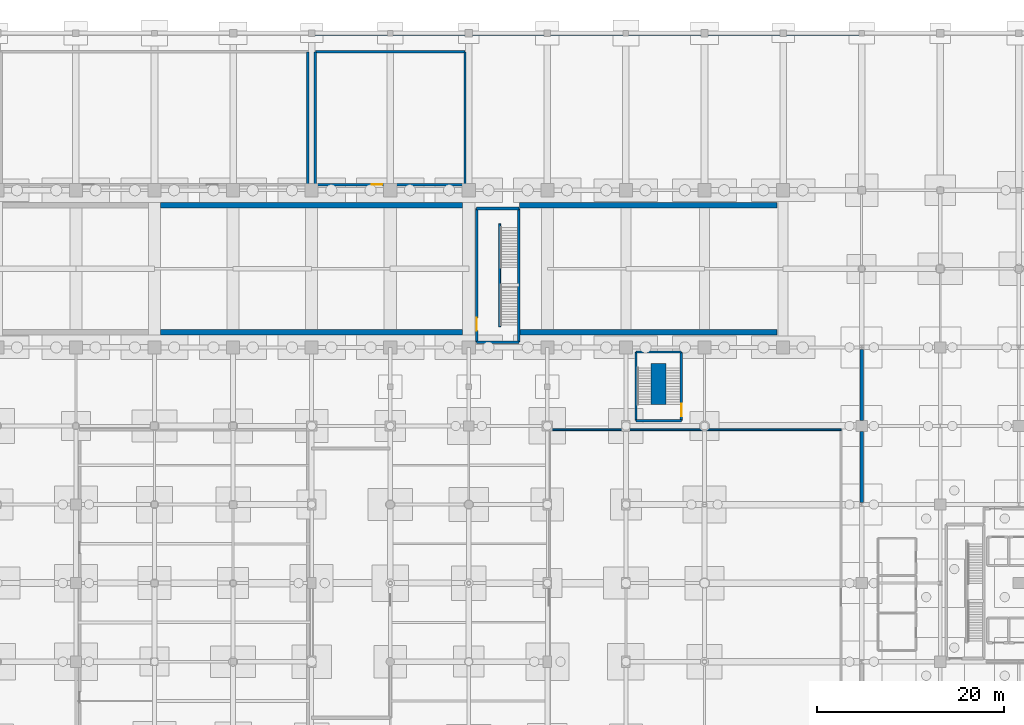
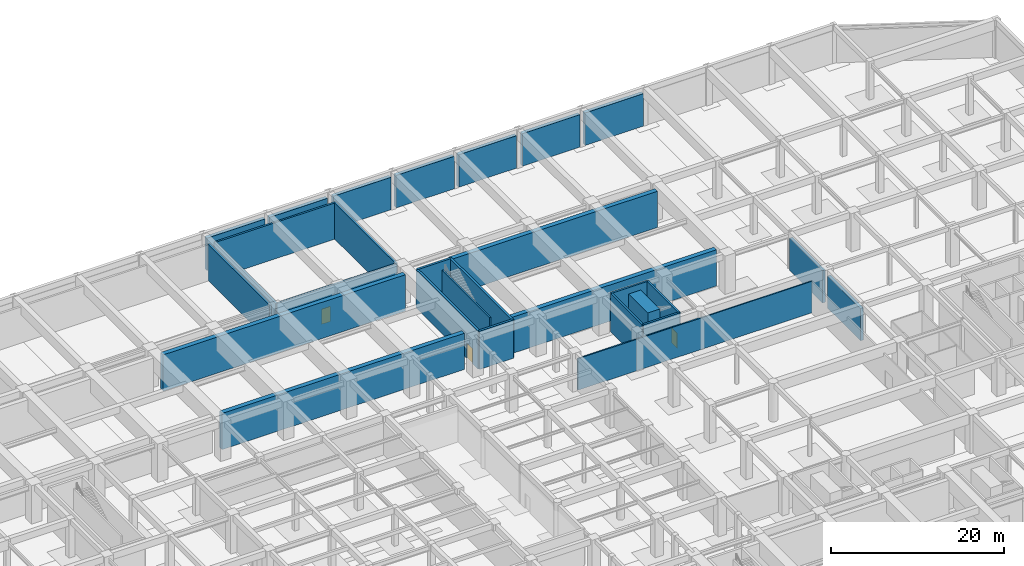
# One storey, part 22 of 26: 29 walls, 3 doors, 3 openings.
"""IFC4 building model written with IfcOpenShell, lengths in metres."""

import ifcopenshell
import ifcopenshell.guid

model = None  # the IFC model being written
_history = None  # IfcOwnerHistory: only IFC2X3 demands one
_inside = {}  # id of a spatial element -> (the spatial element, [elements in it])
_under = {}  # id of a project, library or spatial element -> (it, [spatial elements below it])
_declared = {}  # id of a project -> (the project, [libraries it declares])
_typed = {}  # id of a type object -> (the type object, [elements of that type])
_made_of = {}  # id of a material, layer set ... -> (it, [elements and type objects made of it])


def new_model(schema):
    """Start an empty IFC model of exactly this schema.

    Asked for "IFC4X3", IfcOpenShell would pick the latest addendum, in which some entities
    have other attributes; the version numbers below select the first issue.
    IFC2X3 requires an IfcOwnerHistory on every rooted entity: one is made here for all.
    """
    global model, _history
    if schema == "IFC4X3":
        model = ifcopenshell.file(schema_version=(4, 3, 0, 0))
    else:
        model = ifcopenshell.file(schema=schema)
    _inside.clear()
    _under.clear()
    _declared.clear()
    _typed.clear()
    _made_of.clear()
    _history = None
    if model.schema == "IFC2X3":
        org = make("IfcOrganization", Name="unknown")
        user = make(
            "IfcPersonAndOrganization",
            ThePerson=make("IfcPerson", FamilyName="unknown"),
            TheOrganization=org,
        )
        app = make(
            "IfcApplication",
            ApplicationDeveloper=org,
            Version="unknown",
            ApplicationFullName="unknown",
            ApplicationIdentifier="unknown",
        )
        _history = make(
            "IfcOwnerHistory",
            OwningUser=user,
            OwningApplication=app,
            ChangeAction="ADDED",
            CreationDate=0,
        )
    return model


def make(cls, **values):
    """One entity of the class cls with the attributes given. An attribute that is None is left unset."""
    return model.create_entity(
        cls, **{name: value for name, value in values.items() if value is not None}
    )


def rooted(cls, **values):
    """An entity with a GlobalId (a new one), such as an element, a storey or a relation."""
    return make(cls, GlobalId=ifcopenshell.guid.new(), OwnerHistory=_history, **values)


def si_unit(unit_type, name, prefix=None):
    """IfcSIUnit, for example si_unit("LENGTHUNIT", "METRE", prefix="MILLI")."""
    return make("IfcSIUnit", UnitType=unit_type, Prefix=prefix, Name=name)


def assignment(units):
    """IfcUnitAssignment: the units of a project."""
    return None if units is None else make("IfcUnitAssignment", Units=units)


def point(xyz):
    """IfcCartesianPoint."""
    return None if xyz is None else make("IfcCartesianPoint", Coordinates=xyz)


def direction(xyz):
    """IfcDirection."""
    return None if xyz is None else make("IfcDirection", DirectionRatios=xyz)


def frame(location, z_axis=None, x_axis=None):
    """IfcAxis2Placement3D, a coordinate frame: its origin and axes. An axis left out is left unset."""
    return make(
        "IfcAxis2Placement3D",
        Location=point(location),
        Axis=direction(z_axis),
        RefDirection=direction(x_axis),
    )


def frame_2d(location, x_axis=None):
    """IfcAxis2Placement2D, a coordinate frame in the plane: its origin and x axis."""
    return make(
        "IfcAxis2Placement2D", Location=point(location), RefDirection=direction(x_axis)
    )


def origin():
    """The frame at (0, 0, 0) with its axes left unset."""
    return frame((0.0, 0.0, 0.0))


def place(relative_to, where):
    """IfcLocalPlacement: puts the frame where relative to a parent placement (None: the world)."""
    return make(
        "IfcLocalPlacement", PlacementRelTo=relative_to, RelativePlacement=where
    )


def context(
    kind, dimensions, precision=None, world=None, true_north=None, identifier=None
):
    """IfcGeometricRepresentationContext, for example the 3D "Model" context."""
    return make(
        "IfcGeometricRepresentationContext",
        ContextIdentifier=identifier,
        ContextType=kind,
        CoordinateSpaceDimension=dimensions,
        Precision=precision,
        WorldCoordinateSystem=world,
        TrueNorth=true_north,
    )


def subcontext(parent, identifier, kind, view, scale=None):
    """IfcGeometricRepresentationSubContext, for example "Body" below "Model"."""
    return make(
        "IfcGeometricRepresentationSubContext",
        ContextIdentifier=identifier,
        ContextType=kind,
        ParentContext=parent,
        TargetScale=scale,
        TargetView=view,
    )


def project(units=None, contexts=None):
    """IfcProject with its units and contexts."""
    return rooted(
        "IfcProject",
        Name="project",
        RepresentationContexts=contexts,
        UnitsInContext=assignment(units),
    )


def spatial(cls, under=None, at=None, **own):
    """A site, building, storey or space (cls), placed at a placement, below another one or the project."""
    s = rooted(cls, ObjectPlacement=at, **own)
    if under is not None:
        _under.setdefault(under.id(), (under, []))[1].append(s)
    return s


def profile(cls, at=None, kind="AREA", **sizes):
    """A parametric profile (cls). Its sizes go by their IFC names, for example OverallWidth=200.0."""
    return make(cls, ProfileType=kind, Position=at, **sizes)


def rectangle(**sizes):
    """IfcRectangleProfileDef."""
    return profile("IfcRectangleProfileDef", **sizes)


def extrude(swept, where, along, depth):
    """IfcExtrudedAreaSolid: the profile swept, set in the frame where, extruded along a direction by depth."""
    return make(
        "IfcExtrudedAreaSolid",
        SweptArea=swept,
        Position=where,
        ExtrudedDirection=direction(along),
        Depth=depth,
    )


def shape(context_of_items, identifier, shape_type, items):
    """IfcShapeRepresentation: the items that make up one representation, for example the "Body"."""
    return make(
        "IfcShapeRepresentation",
        ContextOfItems=context_of_items,
        RepresentationIdentifier=identifier,
        RepresentationType=shape_type,
        Items=items,
    )


def material(Name=None, Category=None):
    """IfcMaterial."""
    return make("IfcMaterial", Name=Name, Category=Category)


def layer(
    of_material, thickness, ventilated=None, Name=None, Category=None, Priority=None
):
    """IfcMaterialLayer: one layer of a wall or slab, of a material (None: an air gap)."""
    return make(
        "IfcMaterialLayer",
        Material=of_material,
        LayerThickness=thickness,
        IsVentilated=ventilated,
        Name=Name,
        Category=Category,
        Priority=Priority,
    )


def layer_set(layers, Name=None):
    """IfcMaterialLayerSet."""
    return make("IfcMaterialLayerSet", MaterialLayers=layers, LayerSetName=Name)


def made_of(thing, what):
    """Note that an element or type object is made of a material, layer set ...; save() writes the relation."""
    if what is not None:
        _made_of.setdefault(what.id(), (what, []))[1].append(thing)
    return thing


def type_object(cls, material=None, **own):
    """A type object (cls), such as IfcWallType, which elements share."""
    return made_of(rooted(cls, **own), material)


def element(
    cls,
    number,
    at=None,
    inside=None,
    cuts=None,
    type_object=None,
    material=None,
    context=None,
    identifier="Body",
    shape_type=None,
    held_by="IfcProductDefinitionShape",
    body=None,
    shapes=None,
    **own,
):
    """One element of the class cls, such as IfcWall. Its Tag is "e" and its number.

    at: its placement. inside: the storey or other place that contains it. cuts: it is an
    opening in that element (IfcRelVoidsElement). A single representation is given by context,
    identifier, shape_type and body (its items); several are given by shapes. held_by: the class
    of the entity that holds the representations. save() writes the other relations.
    """
    e = rooted(cls, Tag="e%d" % number, ObjectPlacement=at, **own)
    if body is not None:
        shapes = [shape(context, identifier, shape_type, body)]
    if shapes is not None:
        e.Representation = make(held_by, Representations=shapes)
    if inside is not None:
        _inside.setdefault(inside.id(), (inside, []))[1].append(e)
    if cuts is not None:
        rooted(
            "IfcRelVoidsElement", RelatingBuildingElement=cuts, RelatedOpeningElement=e
        )
    if type_object is not None:
        _typed.setdefault(type_object.id(), (type_object, []))[1].append(e)
    return made_of(e, material)


def fill(opening, filler):
    """IfcRelFillsElement: the door or window that sits in an opening."""
    return rooted(
        "IfcRelFillsElement",
        RelatingOpeningElement=opening,
        RelatedBuildingElement=filler,
    )


def aggregate(whole, parts):
    """IfcRelAggregates: a whole, such as a stair, and the parts it consists of."""
    return rooted("IfcRelAggregates", RelatingObject=whole, RelatedObjects=parts)


def save(model, path):
    """Write the relations noted so far, then the file.

    IfcRelAggregates (storeys below a building ...), IfcRelContainedInSpatialStructure (elements
    in a storey), IfcRelDefinesByType, IfcRelAssociatesMaterial and IfcRelDeclares: one each for
    every whole, place, type object, material and project.
    """
    for whole, parts in _under.values():
        aggregate(whole, parts)
    for where, things in _inside.values():
        rooted(
            "IfcRelContainedInSpatialStructure",
            RelatedElements=things,
            RelatingStructure=where,
        )
    for kind, things in _typed.values():
        rooted("IfcRelDefinesByType", RelatedObjects=things, RelatingType=kind)
    for what, things in _made_of.values():
        rooted("IfcRelAssociatesMaterial", RelatedObjects=things, RelatingMaterial=what)
    for by, libraries in _declared.values():
        rooted("IfcRelDeclares", RelatingContext=by, RelatedDefinitions=libraries)
    model.write(path)


model = new_model("IFC4")

# Units and contexts
model_context = context("Model", 3, precision=1e-05, world=origin(), true_north=direction((0.0, 1.0)))
body_context = subcontext(model_context, "Body", "Model", "MODEL_VIEW")
ifc_project = project(units=[si_unit("LENGTHUNIT", "METRE"), si_unit("AREAUNIT", "SQUARE_METRE"), si_unit("VOLUMEUNIT", "CUBIC_METRE"), si_unit("PLANEANGLEUNIT", "RADIAN"), si_unit("MASSUNIT", "GRAM", prefix="KILO")], contexts=[model_context])

# Site, building, storey
site_placement = place(None, origin())
site = spatial("IfcSite", under=ifc_project, at=site_placement, CompositionType="ELEMENT")
building_placement = place(site_placement, origin())
building = spatial("IfcBuilding", under=site, at=building_placement, Name="Xuanlan Plaza Opera House", CompositionType="ELEMENT")
storey_placement = place(building_placement, frame((0.0, 0.0, -5.39990234375)))
storey = spatial("IfcBuildingStorey", under=building, at=storey_placement, Name="B01", CompositionType="ELEMENT", Elevation=-5.39990234375)

# Walls
ifc_material_1 = material(Name="Concrete C50", Category="concrete")
ifc_layer_1 = layer(ifc_material_1, 0.47998046875)
ifc_layer_set_1 = layer_set([ifc_layer_1], Name="Concrete C50")
wall_type_1 = type_object("IfcWallType", Name="ENV-WL-EW-B01", PredefinedType="SHEAR", material=ifc_layer_set_1)
wall_1_placement = place(storey_placement, frame((125.699951171875, 117.60009765625, 0.0), z_axis=(0.0, 0.0, 1.0), x_axis=(-1.0, 0.0, 0.0)))
element("IfcWall", 1, at=wall_1_placement, inside=storey, type_object=wall_type_1, Name="Exterior Wall B01-034", PredefinedType="SHEAR", context=body_context, shape_type="SweptSolid", body=[
    extrude(rectangle(XDim=7.75, YDim=0.47998046875, at=frame_2d((3.875, 0.0))), origin(), (0.0, 0.0, 1.0), 4.579833984375),
])
wall_2_placement = place(storey_placement, frame((117.25, 117.60009765625, 0.0), z_axis=(0.0, 0.0, 1.0), x_axis=(-1.0, 0.0, 0.0)))
element("IfcWall", 2, at=wall_2_placement, inside=storey, type_object=wall_type_1, Name="Exterior Wall B01-035", PredefinedType="SHEAR", context=body_context, shape_type="SweptSolid", body=[
    extrude(rectangle(XDim=7.64990234375, YDim=0.47998046875, at=frame_2d((3.824951171875, 0.0))), origin(), (0.0, 0.0, 1.0), 4.579833984375),
])
wall_3_placement = place(storey_placement, frame((108.800048828125, 117.60009765625, 0.0), z_axis=(0.0, 0.0, 1.0), x_axis=(-1.0, 0.0, 0.0)))
element("IfcWall", 3, at=wall_3_placement, inside=storey, type_object=wall_type_1, Name="Exterior Wall B01-036", PredefinedType="SHEAR", context=body_context, shape_type="SweptSolid", body=[
    extrude(rectangle(XDim=7.699951171875, YDim=0.47998046875, at=frame_2d((3.85009765625, 0.0))), origin(), (0.0, 0.0, 1.0), 4.579833984375),
])
wall_4_placement = place(storey_placement, frame((100.5, 117.60009765625, 0.0), z_axis=(0.0, 0.0, 1.0), x_axis=(-1.0, 0.0, 0.0)))
element("IfcWall", 4, at=wall_4_placement, inside=storey, type_object=wall_type_1, Name="Exterior Wall B01-037", PredefinedType="SHEAR", context=body_context, shape_type="SweptSolid", body=[
    extrude(rectangle(XDim=7.75, YDim=0.47998046875, at=frame_2d((3.875, 0.0))), origin(), (0.0, 0.0, 1.0), 4.579833984375),
])
wall_5_placement = place(storey_placement, frame((92.050048828125, 117.60009765625, 0.0), z_axis=(0.0, 0.0, 1.0), x_axis=(-1.0, 0.0, 0.0)))
element("IfcWall", 5, at=wall_5_placement, inside=storey, type_object=wall_type_1, Name="Exterior Wall B01-038", PredefinedType="SHEAR", context=body_context, shape_type="SweptSolid", body=[
    extrude(rectangle(XDim=7.650146484375, YDim=0.47998046875, at=frame_2d((3.8251953125, 0.0))), origin(), (0.0, 0.0, 1.0), 4.579833984375),
])
wall_6_placement = place(storey_placement, frame((83.60009765625, 117.60009765625, 0.0), z_axis=(0.0, 0.0, 1.0), x_axis=(-1.0, 0.0, 0.0)))
element("IfcWall", 6, at=wall_6_placement, inside=storey, type_object=wall_type_1, Name="Exterior Wall B01-039", PredefinedType="SHEAR", context=body_context, shape_type="SweptSolid", body=[
    extrude(rectangle(XDim=7.7001953125, YDim=0.47998046875, at=frame_2d((3.85009765625, 0.0))), origin(), (0.0, 0.0, 1.0), 4.579833984375),
])
wall_7_placement = place(storey_placement, frame((75.300048828125, 117.60009765625, 0.0), z_axis=(0.0, 0.0, 1.0), x_axis=(-1.0, 0.0, 0.0)))
element("IfcWall", 7, at=wall_7_placement, inside=storey, type_object=wall_type_1, Name="Exterior Wall B01-040", PredefinedType="SHEAR", context=body_context, shape_type="SweptSolid", body=[
    extrude(rectangle(XDim=7.75, YDim=0.47998046875, at=frame_2d((3.875, 0.0))), origin(), (0.0, 0.0, 1.0), 4.579833984375),
])
ifc_material_2 = material(Name="Gypsum Board and Galvanised Steel Studs", Category="gypsum")
ifc_layer_2 = layer(ifc_material_2, 0.179931640625)
ifc_layer_set_2 = layer_set([ifc_layer_2], Name="Gypsum Board and Galvanised Steel Studs")
wall_type_2 = type_object("IfcWallType", Name="INT-WL-PW-02", PredefinedType="PARTITIONING", material=ifc_layer_set_2)
wall_8_placement = place(storey_placement, frame((92.60009765625, 75.199951171875, 0.0), z_axis=(0.0, 0.0, 1.0), x_axis=(1.0, 0.0, 0.0)))
element("IfcWall", 8, at=wall_8_placement, inside=storey, type_object=wall_type_2, Name="Metro Concourse Interchange Hall Wall North", PredefinedType="PARTITIONING", context=body_context, shape_type="SweptSolid", body=[
    extrude(rectangle(XDim=31.199951171875, YDim=0.179931640625, at=frame_2d((15.60009765625, 0.0))), origin(), (0.0, 0.0, 1.0), 4.43994140625),
])
ifc_layer_3 = layer(ifc_material_1, 0.3798828125)
ifc_layer_set_3 = layer_set([ifc_layer_3], Name="Concrete C50")
wall_type_3 = type_object("IfcWallType", Name="INT-WL-SW-FW1", PredefinedType="SHEAR", material=ifc_layer_set_3)
for number, where, z_axis, x_axis, name in (
    (9, (126.0, 67.406982421875, 0.0), (0.0, 0.0, 1.0), (0.0, 1.0, 0.0), "Opera-Tower Compartment Firewall B01-03"),
    (10, (126.0, 76.199951171875, 0.0), (0.0, 0.0, 1.0), (0.0, 1.0, 0.0), "Opera-Tower Compartment Firewall B01-04"),
):
    element("IfcWall", number, at=place(storey_placement, frame(where, z_axis=z_axis, x_axis=x_axis)), inside=storey, type_object=wall_type_3, Name=name, PredefinedType="SHEAR", context=body_context, shape_type="SweptSolid", body=[
        extrude(rectangle(XDim=7.593017578125, YDim=0.3798828125, at=frame_2d((3.79638671875, 0.0))), origin(), (0.0, 0.0, 1.0), 4.5498046875),
    ])
ifc_material_3 = material(Name="Concrete C40", Category="concrete")
ifc_layer_4 = layer(ifc_material_3, 0.25)
ifc_layer_set_4 = layer_set([ifc_layer_4], Name="Concrete C40")
wall_type_4 = type_object("IfcWallType", Name="INT-WL-SW-LF1", PredefinedType="SHEAR", material=ifc_layer_set_4)
wall_9_placement = place(storey_placement, frame((66.800048828125, 101.39990234375, 0.0), z_axis=(0.0, 0.0, 1.0), x_axis=(0.0, 1.0, 0.0)))
element("IfcWall", 11, at=wall_9_placement, inside=storey, type_object=wall_type_4, Name="Chiller and Heat Pump Plant Room Wall East", PredefinedType="SHEAR", context=body_context, shape_type="SweptSolid", body=[
    extrude(rectangle(XDim=14.2001953125, YDim=0.25, at=frame_2d((7.10009765625, 0.0))), origin(), (0.0, 0.0, 1.0), 5.099853515625),
])

# Wall, opening, door
wall_10_placement = place(storey_placement, frame((67.60009765625, 101.39990234375, 0.0), z_axis=(0.0, 0.0, 1.0), x_axis=(1.0, 0.0, 0.0)))
wall_10 = element("IfcWall", 12, at=wall_10_placement, inside=storey, type_object=wall_type_4, Name="Sprinkler Pump and Fire Water Tank Room Wall South", PredefinedType="SHEAR", context=body_context, shape_type="SweptSolid", body=[
    extrude(rectangle(XDim=16.0, YDim=0.25, at=frame_2d((8.0, 0.0))), origin(), (0.0, 0.0, 1.0), 5.099853515625),
])
opening_1_placement = place(wall_10_placement, frame((6.0, 0.0, 0.0)))
opening_1 = element("IfcOpeningElement", 13, at=opening_1_placement, cuts=wall_10, Name="Opening FD-01", PredefinedType="OPENING", context=body_context, shape_type="SweptSolid", body=[
    extrude(rectangle(XDim=1.14990234375, YDim=2.14990234375, at=frame_2d((0.574951171875, 1.074951171875))), frame((0.0, 0.135009765625, 0.0), z_axis=(0.0, -1.0, 0.0), x_axis=(1.0, 0.0, 0.0)), (0.0, 0.0, 1.0), 0.27001953125),
])
ifc_material_4 = material(Name="Galvanised Steel Q235B", Category="steel")
door_type_1 = type_object("IfcDoorType", Name="INT-DR-FD-01", OperationType="NOTDEFINED", PredefinedType="DOOR", material=ifc_material_4)
door_1_placement = place(opening_1_placement, origin())
door_1 = element("IfcDoor", 14, at=door_1_placement, inside=storey, type_object=door_type_1, Name="Sprinkler Pump and Fire Water Tank Room Door 1", OperationType="SINGLE_SWING_LEFT", OverallHeight=2.14990234375, OverallWidth=1.14990234375, PredefinedType="DOOR", context=body_context, shape_type="SweptSolid", body=[
    extrude(rectangle(XDim=1.14990234375, YDim=2.14990234375, at=frame_2d((0.574951171875, 1.074951171875))), frame((0.0, 0.02490234375, 0.0), z_axis=(0.0, -1.0, 0.0), x_axis=(1.0, 0.0, 0.0)), (0.0, 0.0, 1.0), 0.050048828125),
])
fill(opening_1, door_1)

# Walls
wall_11_placement = place(storey_placement, frame((67.60009765625, 115.60009765625, 0.0), z_axis=(0.0, 0.0, 1.0), x_axis=(1.0, 0.0, 0.0)))
element("IfcWall", 15, at=wall_11_placement, inside=storey, type_object=wall_type_4, Name="Sprinkler Pump and Fire Water Tank Room Wall North", PredefinedType="SHEAR", context=body_context, shape_type="SweptSolid", body=[
    extrude(rectangle(XDim=16.0, YDim=0.25, at=frame_2d((8.0, 0.0))), origin(), (0.0, 0.0, 1.0), 5.099853515625),
])
for number, where, z_axis, x_axis, name in (
    (16, (67.60009765625, 101.39990234375, 0.0), (0.0, 0.0, 1.0), (0.0, 1.0, 0.0), "Sprinkler Pump and Fire Water Tank Room Wall West"),
    (17, (83.60009765625, 101.39990234375, 0.0), (0.0, 0.0, 1.0), (0.0, 1.0, 0.0), "Sprinkler Pump and Fire Water Tank Room Wall East"),
):
    element("IfcWall", number, at=place(storey_placement, frame(where, z_axis=z_axis, x_axis=x_axis)), inside=storey, type_object=wall_type_4, Name=name, PredefinedType="SHEAR", context=body_context, shape_type="SweptSolid", body=[
        extrude(rectangle(XDim=14.2001953125, YDim=0.25, at=frame_2d((7.10009765625, 0.0))), origin(), (0.0, 0.0, 1.0), 5.099853515625),
    ])
ifc_layer_5 = layer(ifc_material_1, 1.60009765625)
ifc_layer_set_5 = layer_set([ifc_layer_5], Name="Concrete C50")
wall_type_5 = type_object("IfcWallType", Name="INT-WL-SW-SP2", PredefinedType="SHEAR", material=ifc_layer_set_5)
wall_12_placement = place(storey_placement, frame((104.300048828125, 77.8798828125, 0.0), z_axis=(0.0, 0.0, 1.0), x_axis=(0.0, 1.0, 0.0)))
element("IfcWall", 18, at=wall_12_placement, inside=storey, type_object=wall_type_5, Name="Half-Turn Stair Structural Spine Wall ST-F2 B01", PredefinedType="SHEAR", context=body_context, shape_type="SweptSolid", body=[
    extrude(rectangle(XDim=4.400146484375, YDim=1.60009765625, at=frame_2d((2.2001953125, 0.0))), origin(), (0.0, 0.0, 1.0), 5.39990234375),
])
ifc_layer_6 = layer(ifc_material_3, 0.199951171875)
ifc_layer_set_6 = layer_set([ifc_layer_6], Name="Concrete C40")
wall_type_6 = type_object("IfcWallType", Name="INT-WL-SW-SPN", PredefinedType="SHEAR", material=ifc_layer_set_6)
wall_13_placement = place(storey_placement, frame((87.300048828125, 86.199951171875, 0.0), z_axis=(0.0, 0.0, 1.0), x_axis=(0.0, 1.0, 0.0)))
element("IfcWall", 19, at=wall_13_placement, inside=storey, type_object=wall_type_6, Name="Stair Structural Spine Wall ST-P4 B01", PredefinedType="SHEAR", context=body_context, shape_type="SweptSolid", body=[
    extrude(rectangle(XDim=11.0, YDim=0.199951171875, at=frame_2d((5.5, 0.0))), origin(), (0.0, 0.0, 1.0), 5.39990234375),
])
ifc_layer_7 = layer(ifc_material_3, 0.300048828125)
ifc_layer_set_7 = layer_set([ifc_layer_7], Name="Concrete C40")
wall_type_7 = type_object("IfcWallType", Name="INT-WL-SW-ST1", PredefinedType="SHEAR", material=ifc_layer_set_7)
for number, where, z_axis, x_axis, name in (
    (20, (84.85009765625, 84.550048828125, 0.0), (0.0, 0.0, 1.0), (1.0, 0.0, 0.0), "Stair Core Wall ST-P4 B01 South"),
    (21, (84.85009765625, 98.85009765625, 0.0), (0.0, 0.0, 1.0), (1.0, 0.0, 0.0), "Stair Core Wall ST-P4 B01 North"),
):
    element("IfcWall", number, at=place(storey_placement, frame(where, z_axis=z_axis, x_axis=x_axis)), inside=storey, type_object=wall_type_7, Name=name, PredefinedType="SHEAR", context=body_context, shape_type="SweptSolid", body=[
        extrude(rectangle(XDim=4.5, YDim=0.300048828125, at=frame_2d((2.25, 0.0))), origin(), (0.0, 0.0, 1.0), 5.39990234375),
    ])

# Wall, opening, door
wall_14_placement = place(storey_placement, frame((84.85009765625, 84.550048828125, 0.0), z_axis=(0.0, 0.0, 1.0), x_axis=(0.0, 1.0, 0.0)))
wall_14 = element("IfcWall", 22, at=wall_14_placement, inside=storey, type_object=wall_type_7, Name="Stair Core Wall ST-P4 B01 West", PredefinedType="SHEAR", context=body_context, shape_type="SweptSolid", body=[
    extrude(rectangle(XDim=14.300048828125, YDim=0.300048828125, at=frame_2d((7.14990234375, 0.0))), origin(), (0.0, 0.0, 1.0), 5.39990234375),
])
opening_2_placement = place(wall_14_placement, frame((1.25, 0.0, 0.0)))
opening_2 = element("IfcOpeningElement", 23, at=opening_2_placement, cuts=wall_14, Name="Opening FD-ST2", PredefinedType="OPENING", context=body_context, shape_type="SweptSolid", body=[
    extrude(rectangle(XDim=1.35009765625, YDim=2.14990234375, at=frame_2d((0.675048828125, 1.074951171875))), frame((0.0, 0.159912109375, 0.0), z_axis=(0.0, -1.0, 0.0), x_axis=(1.0, 0.0, 0.0)), (0.0, 0.0, 1.0), 0.320068359375),
])
door_type_2 = type_object("IfcDoorType", Name="INT-DR-FD-ST2", OperationType="NOTDEFINED", PredefinedType="DOOR", material=ifc_material_4)
door_2_placement = place(opening_2_placement, frame((1.35009765625, 0.0, 0.0), z_axis=(0.0, 0.0, 1.0), x_axis=(-1.0, 0.0, 0.0)))
door_2 = element("IfcDoor", 24, at=door_2_placement, inside=storey, type_object=door_type_2, Name="Stair Enclosure Fire Door ST-P4 B01", OperationType="SINGLE_SWING_RIGHT", OverallHeight=2.14990234375, OverallWidth=1.35009765625, PredefinedType="DOOR", context=body_context, shape_type="SweptSolid", body=[
    extrude(rectangle(XDim=1.35009765625, YDim=2.14990234375, at=frame_2d((0.675048828125, 1.074951171875))), frame((0.0, 0.02490234375, 0.0), z_axis=(0.0, -1.0, 0.0), x_axis=(1.0, 0.0, 0.0)), (0.0, 0.0, 1.0), 0.050048828125),
])
fill(opening_2, door_2)

# Walls
wall_15_placement = place(storey_placement, frame((89.35009765625, 84.550048828125, 0.0), z_axis=(0.0, 0.0, 1.0), x_axis=(0.0, 1.0, 0.0)))
element("IfcWall", 25, at=wall_15_placement, inside=storey, type_object=wall_type_7, Name="Stair Core Wall ST-P4 B01 East", PredefinedType="SHEAR", context=body_context, shape_type="SweptSolid", body=[
    extrude(rectangle(XDim=14.300048828125, YDim=0.300048828125, at=frame_2d((7.14990234375, 0.0))), origin(), (0.0, 0.0, 1.0), 5.39990234375),
])
ifc_layer_8 = layer(ifc_material_3, 0.25)
ifc_layer_set_8 = layer_set([ifc_layer_8], Name="Concrete C40")
wall_type_8 = type_object("IfcWallType", Name="INT-WL-SW-ST2", PredefinedType="SHEAR", material=ifc_layer_set_8)
for number, where, z_axis, x_axis, name in (
    (26, (101.875, 76.175048828125, 0.0), (0.0, 0.0, 1.0), (1.0, 0.0, 0.0), "Stair Core Wall ST-F2 B01 South"),
    (27, (101.875, 83.5048828125, 0.0), (0.0, 0.0, 1.0), (1.0, 0.0, 0.0), "Stair Core Wall ST-F2 B01 North"),
):
    element("IfcWall", number, at=place(storey_placement, frame(where, z_axis=z_axis, x_axis=x_axis)), inside=storey, type_object=wall_type_8, Name=name, PredefinedType="SHEAR", context=body_context, shape_type="SweptSolid", body=[
        extrude(rectangle(XDim=4.85009765625, YDim=0.25, at=frame_2d((2.425048828125, 0.0))), origin(), (0.0, 0.0, 1.0), 5.39990234375),
    ])
wall_16_placement = place(storey_placement, frame((101.875, 76.175048828125, 0.0), z_axis=(0.0, 0.0, 1.0), x_axis=(0.0, 1.0, 0.0)))
element("IfcWall", 28, at=wall_16_placement, inside=storey, type_object=wall_type_8, Name="Stair Core Wall ST-F2 B01 West", PredefinedType="SHEAR", context=body_context, shape_type="SweptSolid", body=[
    extrude(rectangle(XDim=7.329833984375, YDim=0.25, at=frame_2d((3.6650390625, 0.0))), origin(), (0.0, 0.0, 1.0), 5.39990234375),
])

# Wall, opening, door
wall_17_placement = place(storey_placement, frame((106.72509765625, 76.175048828125, 0.0), z_axis=(0.0, 0.0, 1.0), x_axis=(0.0, 1.0, 0.0)))
wall_17 = element("IfcWall", 29, at=wall_17_placement, inside=storey, type_object=wall_type_8, Name="Stair Core Wall ST-F2 B01 East", PredefinedType="SHEAR", context=body_context, shape_type="SweptSolid", body=[
    extrude(rectangle(XDim=7.329833984375, YDim=0.25, at=frame_2d((3.6650390625, 0.0))), origin(), (0.0, 0.0, 1.0), 5.39990234375),
])
opening_3_placement = place(wall_17_placement, frame((0.449951171875, 0.0, 0.0)))
opening_3 = element("IfcOpeningElement", 30, at=opening_3_placement, cuts=wall_17, Name="Opening FD-ST2", PredefinedType="OPENING", context=body_context, shape_type="SweptSolid", body=[
    extrude(rectangle(XDim=1.35009765625, YDim=2.14990234375, at=frame_2d((0.675048828125, 1.074951171875))), frame((0.0, 0.135009765625, 0.0), z_axis=(0.0, -1.0, 0.0), x_axis=(1.0, 0.0, 0.0)), (0.0, 0.0, 1.0), 0.27001953125),
])
door_3_placement = place(opening_3_placement, origin())
door_3 = element("IfcDoor", 31, at=door_3_placement, inside=storey, type_object=door_type_2, Name="Stair Enclosure Fire Door ST-F2 B01", OperationType="SINGLE_SWING_RIGHT", OverallHeight=2.14990234375, OverallWidth=1.35009765625, PredefinedType="DOOR", context=body_context, shape_type="SweptSolid", body=[
    extrude(rectangle(XDim=1.35009765625, YDim=2.14990234375, at=frame_2d((0.675048828125, 1.074951171875))), frame((0.0, 0.02490234375, 0.0), z_axis=(0.0, -1.0, 0.0), x_axis=(1.0, 0.0, 0.0)), (0.0, 0.0, 1.0), 0.050048828125),
])
fill(opening_3, door_3)

# Walls
ifc_layer_9 = layer(ifc_material_1, 0.60009765625)
ifc_layer_set_9 = layer_set([ifc_layer_9], Name="Concrete C50")
wall_type_9 = type_object("IfcWallType", Name="STR-WL-SW-M1", PredefinedType="SHEAR", material=ifc_layer_set_9)
wall_18_placement = place(storey_placement, frame((51.050048828125, 85.60009765625, 0.0), z_axis=(0.0, 0.0, 1.0), x_axis=(1.0, 0.0, 0.0)))
element("IfcWall", 32, at=wall_18_placement, inside=storey, type_object=wall_type_9, Name="Metro Tunnel Protection Wall M3-02", PredefinedType="SHEAR", context=body_context, shape_type="SweptSolid", body=[
    extrude(rectangle(XDim=32.300048828125, YDim=0.60009765625, at=frame_2d((16.14990234375, 0.0))), origin(), (0.0, 0.0, 1.0), 5.099853515625),
])
wall_19_placement = place(storey_placement, frame((89.419921875, 85.60009765625, 0.0), z_axis=(0.0, 0.0, 1.0), x_axis=(1.0, 0.0, 0.0)))
element("IfcWall", 33, at=wall_19_placement, inside=storey, type_object=wall_type_9, Name="Metro Tunnel Protection Wall M3-03", PredefinedType="SHEAR", context=body_context, shape_type="SweptSolid", body=[
    extrude(rectangle(XDim=27.530029296875, YDim=0.60009765625, at=frame_2d((13.76513671875, 0.0))), origin(), (0.0, 0.0, 1.0), 5.099853515625),
])
wall_20_placement = place(storey_placement, frame((51.050048828125, 99.199951171875, 0.0), z_axis=(0.0, 0.0, 1.0), x_axis=(1.0, 0.0, 0.0)))
element("IfcWall", 34, at=wall_20_placement, inside=storey, type_object=wall_type_9, Name="Metro Tunnel Protection Wall M4-02", PredefinedType="SHEAR", context=body_context, shape_type="SweptSolid", body=[
    extrude(rectangle(XDim=32.300048828125, YDim=0.60009765625, at=frame_2d((16.14990234375, 0.0))), origin(), (0.0, 0.0, 1.0), 5.099853515625),
])
wall_21_placement = place(storey_placement, frame((89.419921875, 99.199951171875, 0.0), z_axis=(0.0, 0.0, 1.0), x_axis=(1.0, 0.0, 0.0)))
element("IfcWall", 35, at=wall_21_placement, inside=storey, type_object=wall_type_9, Name="Metro Tunnel Protection Wall M4-03", PredefinedType="SHEAR", context=body_context, shape_type="SweptSolid", body=[
    extrude(rectangle(XDim=27.530029296875, YDim=0.60009765625, at=frame_2d((13.76513671875, 0.0))), origin(), (0.0, 0.0, 1.0), 5.099853515625),
])

save(model, "model.ifc")
